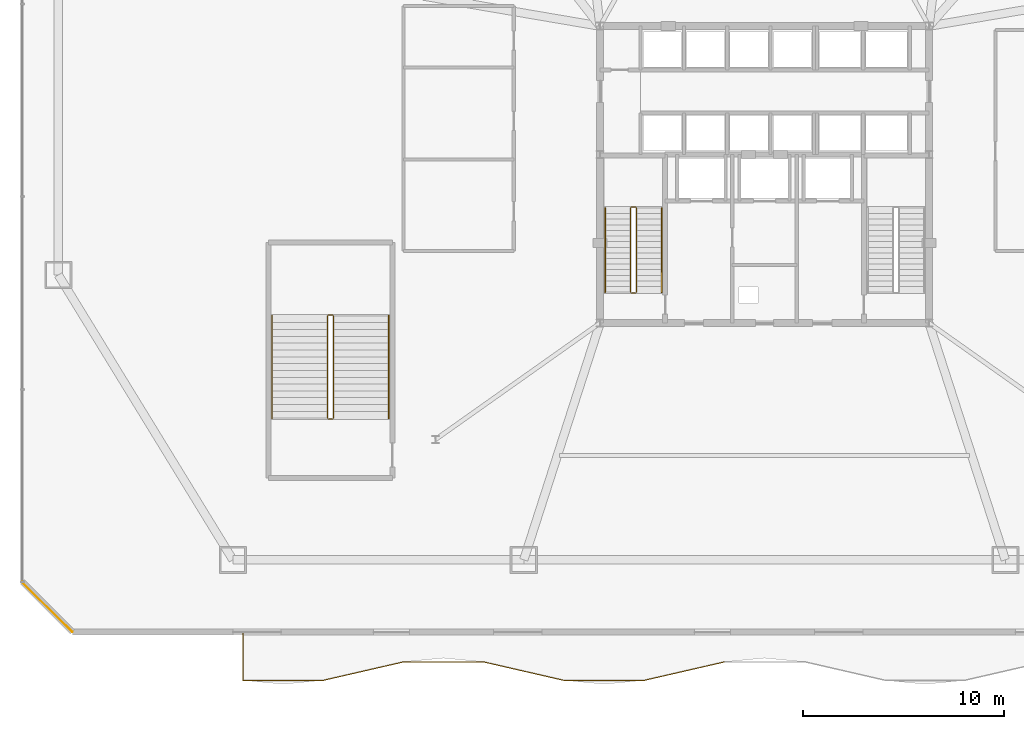
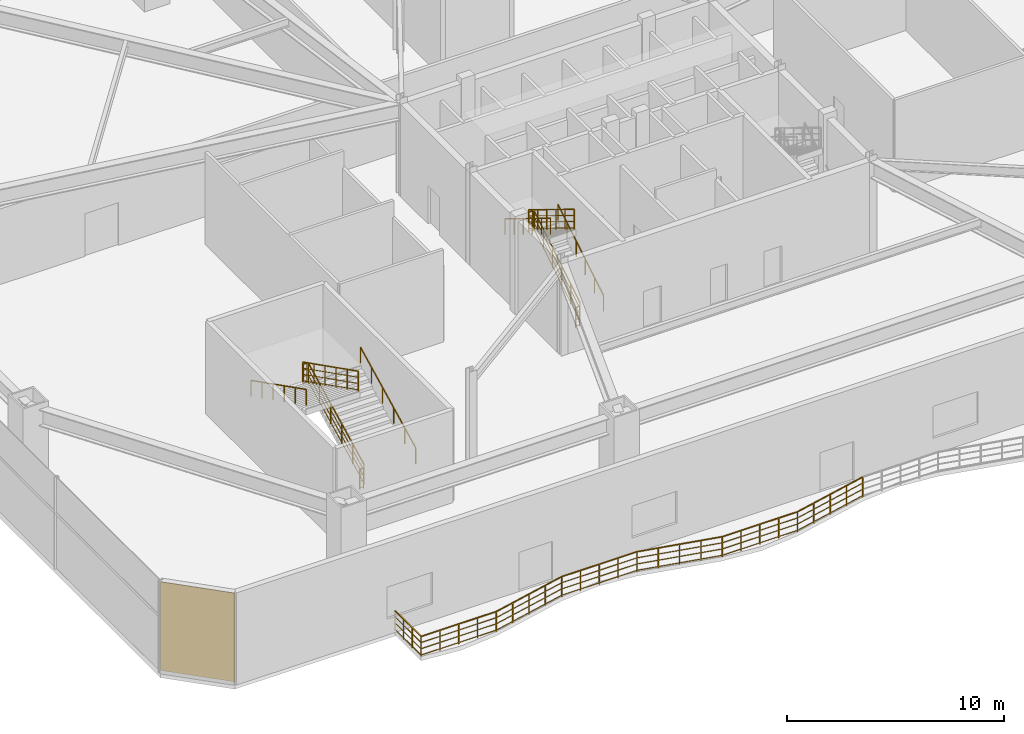
# One storey, part 16 of 20: 19 railings, 1 covering.
"""IFC4 building model written with IfcOpenShell, lengths in metres."""

from ifc_helpers import new_model, si_unit, direction, frame, frame_2d, origin, origin_2d, place, context, subcontext, project, spatial, rectangle, extrude, material, layer, layer_set, type_object, element, save


model = new_model("IFC4")

# Units and contexts
model_context = context("Model", 3, precision=1e-05, world=origin(), true_north=direction((0.0, 1.0)))
body_context = subcontext(model_context, "Body", "Model", "MODEL_VIEW")
ifc_project = project(units=[si_unit("LENGTHUNIT", "METRE"), si_unit("AREAUNIT", "SQUARE_METRE"), si_unit("VOLUMEUNIT", "CUBIC_METRE"), si_unit("PLANEANGLEUNIT", "RADIAN"), si_unit("MASSUNIT", "GRAM", prefix="KILO")], contexts=[model_context])

# Site, building, storey
site_placement = place(None, origin())
site = spatial("IfcSite", under=ifc_project, at=site_placement, CompositionType="ELEMENT")
building_placement = place(site_placement, origin())
building = spatial("IfcBuilding", under=site, at=building_placement, Name="Varakhsha Concourse Tower", CompositionType="ELEMENT")
storey_placement = place(building_placement, frame((0.0, 0.0, 16.5)))
storey = spatial("IfcBuildingStorey", under=building, at=storey_placement, Name="L04", CompositionType="ELEMENT", Elevation=16.5)

# Covering
ifc_material_1 = material(Name="Samarkand Glazed Terracotta Rainscreen Tile 32 mm", Category="masonry")
ifc_layer = layer(ifc_material_1, 0.031982421875, Name="COV-RAINSCREEN-32")
ifc_layer_set = layer_set([ifc_layer], Name="Samarkand Glazed Terracotta Rainscreen Tile 32 mm")
covering_type = type_object("IfcCoveringType", Name="COV-RAINSCREEN-32", PredefinedType="CLADDING", material=ifc_layer_set)
covering_placement = place(storey_placement, frame((3.0, 3.5, 0.10009765625), z_axis=(0.0, 0.0, 1.0), x_axis=(0.707106781187, -0.707106781187, 0.0)))
element("IfcCovering", 1, at=covering_placement, inside=storey, type_object=covering_type, Name="L04 Terracotta Rainscreen Cladding 7", PredefinedType="CLADDING", context=body_context, shape_type="SweptSolid", body=[
    extrude(rectangle(XDim=3.53564453125, YDim=0.031982421875, at=frame_2d((1.767822265625, 0.0))), origin(), (0.0, 0.0, 1.0), 4.97998046875),
])

# Railings
ifc_material_2 = material(Name="Laminated Structural Low-Iron Glass 52 mm", Category="glass")
railing_type_1 = type_object("IfcRailingType", Name="RL-BALUSTRADE-1150", PredefinedType="BALUSTRADE", material=ifc_material_2)
railing_1_placement = place(storey_placement, frame((14.0, 1.0, 0.0)))
element("IfcRailing", 2, at=railing_1_placement, inside=storey, type_object=railing_type_1, Name="L04 Perimeter Safety Balustrade RL-WAVE-L04-01", PredefinedType="BALUSTRADE", context=body_context, shape_type="SweptSolid", body=[
    extrude(rectangle(XDim=0.048095703125, YDim=0.048095703125, at=origin_2d()), frame((0.0, 0.0, 1.1259765625), z_axis=(0.0, -1.0, 0.0), x_axis=(1.0, 0.0, 0.0)), (0.0, 0.0, 1.0), 2.40966796875),
    extrude(rectangle(XDim=0.028076171875, YDim=0.028076171875, at=origin_2d()), frame((0.0, 0.0, 0.080078125), z_axis=(0.0, -1.0, 0.0), x_axis=(1.0, 0.0, 0.0)), (0.0, 0.0, 1.0), 2.40966796875),
    extrude(rectangle(XDim=0.028076171875, YDim=0.028076171875, at=origin_2d()), frame((0.0, 0.0, 0.43701171875), z_axis=(0.0, -1.0, 0.0), x_axis=(1.0, 0.0, 0.0)), (0.0, 0.0, 1.0), 2.40966796875),
    extrude(rectangle(XDim=0.028076171875, YDim=0.028076171875, at=origin_2d()), frame((0.0, 0.0, 0.781982421875), z_axis=(0.0, -1.0, 0.0), x_axis=(1.0, 0.0, 0.0)), (0.0, 0.0, 1.0), 2.40966796875),
    extrude(rectangle(XDim=0.0419921875, YDim=0.0419921875, at=origin_2d()), origin(), (0.0, 0.0, 1.0), 1.101806640625),
    extrude(rectangle(XDim=0.0419921875, YDim=0.0419921875, at=origin_2d()), frame((0.0, -0.80322265625, 0.0)), (0.0, 0.0, 1.0), 1.101806640625),
    extrude(rectangle(XDim=0.0419921875, YDim=0.0419921875, at=origin_2d()), frame((0.0, -1.6064453125, 0.0)), (0.0, 0.0, 1.0), 1.101806640625),
    extrude(rectangle(XDim=0.0419921875, YDim=0.0419921875, at=origin_2d()), frame((0.0, -2.40966796875, 0.0)), (0.0, 0.0, 1.0), 1.101806640625),
])
railing_2_placement = place(storey_placement, frame((14.0, -1.40966796875, 0.0)))
element("IfcRailing", 3, at=railing_2_placement, inside=storey, type_object=railing_type_1, Name="L04 Perimeter Safety Balustrade RL-WAVE-L04-02", PredefinedType="BALUSTRADE", context=body_context, shape_type="SweptSolid", body=[
    extrude(rectangle(XDim=0.048095703125, YDim=0.048095703125, at=origin_2d()), frame((0.0, 0.0, 1.1259765625), z_axis=(1.0, 0.0, 0.0), x_axis=(0.0, 1.0, 0.0)), (0.0, 0.0, 1.0), 4.0),
    extrude(rectangle(XDim=0.028076171875, YDim=0.028076171875, at=origin_2d()), frame((0.0, 0.0, 0.080078125), z_axis=(1.0, 0.0, 0.0), x_axis=(0.0, 1.0, 0.0)), (0.0, 0.0, 1.0), 4.0),
    extrude(rectangle(XDim=0.028076171875, YDim=0.028076171875, at=origin_2d()), frame((0.0, 0.0, 0.43701171875), z_axis=(1.0, 0.0, 0.0), x_axis=(0.0, 1.0, 0.0)), (0.0, 0.0, 1.0), 4.0),
    extrude(rectangle(XDim=0.028076171875, YDim=0.028076171875, at=origin_2d()), frame((0.0, 0.0, 0.781982421875), z_axis=(1.0, 0.0, 0.0), x_axis=(0.0, 1.0, 0.0)), (0.0, 0.0, 1.0), 4.0),
    extrude(rectangle(XDim=0.0419921875, YDim=0.0419921875, at=origin_2d()), origin(), (0.0, 0.0, 1.0), 1.101806640625),
    extrude(rectangle(XDim=0.0419921875, YDim=0.0419921875, at=origin_2d()), frame((1.0, 0.0, 0.0)), (0.0, 0.0, 1.0), 1.101806640625),
    extrude(rectangle(XDim=0.0419921875, YDim=0.0419921875, at=origin_2d()), frame((2.0, 0.0, 0.0)), (0.0, 0.0, 1.0), 1.101806640625),
    extrude(rectangle(XDim=0.0419921875, YDim=0.0419921875, at=origin_2d()), frame((3.0, 0.0, 0.0)), (0.0, 0.0, 1.0), 1.101806640625),
    extrude(rectangle(XDim=0.0419921875, YDim=0.0419921875, at=origin_2d()), frame((4.0, 0.0, 0.0)), (0.0, 0.0, 1.0), 1.101806640625),
])
railing_3_placement = place(storey_placement, frame((18.0, -1.40966796875, 0.0)))
element("IfcRailing", 4, at=railing_3_placement, inside=storey, type_object=railing_type_1, Name="L04 Perimeter Safety Balustrade RL-WAVE-L04-03", PredefinedType="BALUSTRADE", context=body_context, shape_type="SweptSolid", body=[
    extrude(rectangle(XDim=0.048095703125, YDim=0.048095703125, at=origin_2d()), frame((0.0, 0.0, 1.1259765625), z_axis=(0.974598308999, 0.223960121666, 0.0), x_axis=(-0.223960121666, 0.974598308999, 0.0)), (0.0, 0.0, 1.0), 4.104248046875),
    extrude(rectangle(XDim=0.028076171875, YDim=0.028076171875, at=origin_2d()), frame((0.0, 0.0, 0.080078125), z_axis=(0.974598308999, 0.223960121666, 0.0), x_axis=(-0.223960121666, 0.974598308999, 0.0)), (0.0, 0.0, 1.0), 4.104248046875),
    extrude(rectangle(XDim=0.028076171875, YDim=0.028076171875, at=origin_2d()), frame((0.0, 0.0, 0.43701171875), z_axis=(0.974598308999, 0.223960121666, 0.0), x_axis=(-0.223960121666, 0.974598308999, 0.0)), (0.0, 0.0, 1.0), 4.104248046875),
    extrude(rectangle(XDim=0.028076171875, YDim=0.028076171875, at=origin_2d()), frame((0.0, 0.0, 0.781982421875), z_axis=(0.974598308999, 0.223960121666, 0.0), x_axis=(-0.223960121666, 0.974598308999, 0.0)), (0.0, 0.0, 1.0), 4.104248046875),
    extrude(rectangle(XDim=0.0419921875, YDim=0.0419921875, at=origin_2d()), origin(), (0.0, 0.0, 1.0), 1.101806640625),
    extrude(rectangle(XDim=0.0419921875, YDim=0.0419921875, at=origin_2d()), frame((1.0, 0.229736328125, 0.0)), (0.0, 0.0, 1.0), 1.101806640625),
    extrude(rectangle(XDim=0.0419921875, YDim=0.0419921875, at=origin_2d()), frame((2.0, 0.45947265625, 0.0)), (0.0, 0.0, 1.0), 1.101806640625),
    extrude(rectangle(XDim=0.0419921875, YDim=0.0419921875, at=origin_2d()), frame((3.0, 0.689453125, 0.0)), (0.0, 0.0, 1.0), 1.101806640625),
    extrude(rectangle(XDim=0.0419921875, YDim=0.0419921875, at=origin_2d()), frame((4.0, 0.919189453125, 0.0)), (0.0, 0.0, 1.0), 1.101806640625),
])
railing_4_placement = place(storey_placement, frame((22.0, -0.490478515625, 0.0)))
element("IfcRailing", 5, at=railing_4_placement, inside=storey, type_object=railing_type_1, Name="L04 Perimeter Safety Balustrade RL-WAVE-L04-04", PredefinedType="BALUSTRADE", context=body_context, shape_type="SweptSolid", body=[
    extrude(rectangle(XDim=0.048095703125, YDim=0.048095703125, at=origin_2d()), frame((0.0, 0.0, 1.1259765625), z_axis=(1.0, 0.0, 0.0), x_axis=(0.0, 1.0, 0.0)), (0.0, 0.0, 1.0), 4.0),
    extrude(rectangle(XDim=0.028076171875, YDim=0.028076171875, at=origin_2d()), frame((0.0, 0.0, 0.080078125), z_axis=(1.0, 0.0, 0.0), x_axis=(0.0, 1.0, 0.0)), (0.0, 0.0, 1.0), 4.0),
    extrude(rectangle(XDim=0.028076171875, YDim=0.028076171875, at=origin_2d()), frame((0.0, 0.0, 0.43701171875), z_axis=(1.0, 0.0, 0.0), x_axis=(0.0, 1.0, 0.0)), (0.0, 0.0, 1.0), 4.0),
    extrude(rectangle(XDim=0.028076171875, YDim=0.028076171875, at=origin_2d()), frame((0.0, 0.0, 0.781982421875), z_axis=(1.0, 0.0, 0.0), x_axis=(0.0, 1.0, 0.0)), (0.0, 0.0, 1.0), 4.0),
    extrude(rectangle(XDim=0.0419921875, YDim=0.0419921875, at=origin_2d()), origin(), (0.0, 0.0, 1.0), 1.101806640625),
    extrude(rectangle(XDim=0.0419921875, YDim=0.0419921875, at=origin_2d()), frame((1.0, 0.0, 0.0)), (0.0, 0.0, 1.0), 1.101806640625),
    extrude(rectangle(XDim=0.0419921875, YDim=0.0419921875, at=origin_2d()), frame((2.0, 0.0, 0.0)), (0.0, 0.0, 1.0), 1.101806640625),
    extrude(rectangle(XDim=0.0419921875, YDim=0.0419921875, at=origin_2d()), frame((3.0, 0.0, 0.0)), (0.0, 0.0, 1.0), 1.101806640625),
    extrude(rectangle(XDim=0.0419921875, YDim=0.0419921875, at=origin_2d()), frame((4.0, 0.0, 0.0)), (0.0, 0.0, 1.0), 1.101806640625),
])
railing_5_placement = place(storey_placement, frame((26.0, -0.490478515625, 0.0)))
element("IfcRailing", 6, at=railing_5_placement, inside=storey, type_object=railing_type_1, Name="L04 Perimeter Safety Balustrade RL-WAVE-L04-05", PredefinedType="BALUSTRADE", context=body_context, shape_type="SweptSolid", body=[
    extrude(rectangle(XDim=0.048095703125, YDim=0.048095703125, at=origin_2d()), frame((0.0, 0.0, 1.1259765625), z_axis=(0.974598308999, -0.223960121666, 0.0), x_axis=(0.223960121666, 0.974598308999, 0.0)), (0.0, 0.0, 1.0), 4.104248046875),
    extrude(rectangle(XDim=0.028076171875, YDim=0.028076171875, at=origin_2d()), frame((0.0, 0.0, 0.080078125), z_axis=(0.974598308999, -0.223960121666, 0.0), x_axis=(0.223960121666, 0.974598308999, 0.0)), (0.0, 0.0, 1.0), 4.104248046875),
    extrude(rectangle(XDim=0.028076171875, YDim=0.028076171875, at=origin_2d()), frame((0.0, 0.0, 0.43701171875), z_axis=(0.974598308999, -0.223960121666, 0.0), x_axis=(0.223960121666, 0.974598308999, 0.0)), (0.0, 0.0, 1.0), 4.104248046875),
    extrude(rectangle(XDim=0.028076171875, YDim=0.028076171875, at=origin_2d()), frame((0.0, 0.0, 0.781982421875), z_axis=(0.974598308999, -0.223960121666, 0.0), x_axis=(0.223960121666, 0.974598308999, 0.0)), (0.0, 0.0, 1.0), 4.104248046875),
    extrude(rectangle(XDim=0.0419921875, YDim=0.0419921875, at=origin_2d()), origin(), (0.0, 0.0, 1.0), 1.101806640625),
    extrude(rectangle(XDim=0.0419921875, YDim=0.0419921875, at=origin_2d()), frame((1.0, -0.229736328125, 0.0)), (0.0, 0.0, 1.0), 1.101806640625),
    extrude(rectangle(XDim=0.0419921875, YDim=0.0419921875, at=origin_2d()), frame((2.0, -0.45947265625, 0.0)), (0.0, 0.0, 1.0), 1.101806640625),
    extrude(rectangle(XDim=0.0419921875, YDim=0.0419921875, at=origin_2d()), frame((3.0, -0.689453125, 0.0)), (0.0, 0.0, 1.0), 1.101806640625),
    extrude(rectangle(XDim=0.0419921875, YDim=0.0419921875, at=origin_2d()), frame((4.0, -0.919189453125, 0.0)), (0.0, 0.0, 1.0), 1.101806640625),
])
railing_6_placement = place(storey_placement, frame((30.0, -1.40966796875, 0.0)))
element("IfcRailing", 7, at=railing_6_placement, inside=storey, type_object=railing_type_1, Name="L04 Perimeter Safety Balustrade RL-WAVE-L04-06", PredefinedType="BALUSTRADE", context=body_context, shape_type="SweptSolid", body=[
    extrude(rectangle(XDim=0.048095703125, YDim=0.048095703125, at=origin_2d()), frame((0.0, 0.0, 1.1259765625), z_axis=(1.0, 0.0, 0.0), x_axis=(0.0, 1.0, 0.0)), (0.0, 0.0, 1.0), 4.0),
    extrude(rectangle(XDim=0.028076171875, YDim=0.028076171875, at=origin_2d()), frame((0.0, 0.0, 0.080078125), z_axis=(1.0, 0.0, 0.0), x_axis=(0.0, 1.0, 0.0)), (0.0, 0.0, 1.0), 4.0),
    extrude(rectangle(XDim=0.028076171875, YDim=0.028076171875, at=origin_2d()), frame((0.0, 0.0, 0.43701171875), z_axis=(1.0, 0.0, 0.0), x_axis=(0.0, 1.0, 0.0)), (0.0, 0.0, 1.0), 4.0),
    extrude(rectangle(XDim=0.028076171875, YDim=0.028076171875, at=origin_2d()), frame((0.0, 0.0, 0.781982421875), z_axis=(1.0, 0.0, 0.0), x_axis=(0.0, 1.0, 0.0)), (0.0, 0.0, 1.0), 4.0),
    extrude(rectangle(XDim=0.0419921875, YDim=0.0419921875, at=origin_2d()), origin(), (0.0, 0.0, 1.0), 1.101806640625),
    extrude(rectangle(XDim=0.0419921875, YDim=0.0419921875, at=origin_2d()), frame((1.0, 0.0, 0.0)), (0.0, 0.0, 1.0), 1.101806640625),
    extrude(rectangle(XDim=0.0419921875, YDim=0.0419921875, at=origin_2d()), frame((2.0, 0.0, 0.0)), (0.0, 0.0, 1.0), 1.101806640625),
    extrude(rectangle(XDim=0.0419921875, YDim=0.0419921875, at=origin_2d()), frame((3.0, 0.0, 0.0)), (0.0, 0.0, 1.0), 1.101806640625),
    extrude(rectangle(XDim=0.0419921875, YDim=0.0419921875, at=origin_2d()), frame((4.0, 0.0, 0.0)), (0.0, 0.0, 1.0), 1.101806640625),
])
railing_7_placement = place(storey_placement, frame((34.0, -1.40966796875, 0.0)))
element("IfcRailing", 8, at=railing_7_placement, inside=storey, type_object=railing_type_1, Name="L04 Perimeter Safety Balustrade RL-WAVE-L04-07", PredefinedType="BALUSTRADE", context=body_context, shape_type="SweptSolid", body=[
    extrude(rectangle(XDim=0.048095703125, YDim=0.048095703125, at=origin_2d()), frame((0.0, 0.0, 1.1259765625), z_axis=(0.974598308999, 0.223960121666, 0.0), x_axis=(-0.223960121666, 0.974598308999, 0.0)), (0.0, 0.0, 1.0), 4.104248046875),
    extrude(rectangle(XDim=0.028076171875, YDim=0.028076171875, at=origin_2d()), frame((0.0, 0.0, 0.080078125), z_axis=(0.974598308999, 0.223960121666, 0.0), x_axis=(-0.223960121666, 0.974598308999, 0.0)), (0.0, 0.0, 1.0), 4.104248046875),
    extrude(rectangle(XDim=0.028076171875, YDim=0.028076171875, at=origin_2d()), frame((0.0, 0.0, 0.43701171875), z_axis=(0.974598308999, 0.223960121666, 0.0), x_axis=(-0.223960121666, 0.974598308999, 0.0)), (0.0, 0.0, 1.0), 4.104248046875),
    extrude(rectangle(XDim=0.028076171875, YDim=0.028076171875, at=origin_2d()), frame((0.0, 0.0, 0.781982421875), z_axis=(0.974598308999, 0.223960121666, 0.0), x_axis=(-0.223960121666, 0.974598308999, 0.0)), (0.0, 0.0, 1.0), 4.104248046875),
    extrude(rectangle(XDim=0.0419921875, YDim=0.0419921875, at=origin_2d()), origin(), (0.0, 0.0, 1.0), 1.101806640625),
    extrude(rectangle(XDim=0.0419921875, YDim=0.0419921875, at=origin_2d()), frame((1.0, 0.229736328125, 0.0)), (0.0, 0.0, 1.0), 1.101806640625),
    extrude(rectangle(XDim=0.0419921875, YDim=0.0419921875, at=origin_2d()), frame((2.0, 0.45947265625, 0.0)), (0.0, 0.0, 1.0), 1.101806640625),
    extrude(rectangle(XDim=0.0419921875, YDim=0.0419921875, at=origin_2d()), frame((3.0, 0.689453125, 0.0)), (0.0, 0.0, 1.0), 1.101806640625),
    extrude(rectangle(XDim=0.0419921875, YDim=0.0419921875, at=origin_2d()), frame((4.0, 0.919189453125, 0.0)), (0.0, 0.0, 1.0), 1.101806640625),
])
ifc_material_3 = material(Name="Brushed Austenitic Stainless Steel AISI 316", Category="steel")
railing_type_2 = type_object("IfcRailingType", Name="RL-STAIR-GUARD-1100", PredefinedType="GUARDRAIL", material=ifc_material_3)
railing_8_placement = place(storey_placement, frame((33.610107421875, 17.93994140625, 0.171875)))
element("IfcRailing", 9, at=railing_8_placement, inside=storey, type_object=railing_type_2, Name="L04 ST1 stair guard 1", PredefinedType="GUARDRAIL", context=body_context, shape_type="SweptSolid", body=[
    extrude(rectangle(XDim=0.048095703125, YDim=0.048095703125, at=origin_2d()), frame((0.0, 0.0, 1.1259765625), z_axis=(0.0, 0.852242915053, 0.523146264196), x_axis=(-1.0, 0.0, 0.0)), (0.0, 0.0, 1.0), 4.92822265625),
    extrude(rectangle(XDim=0.028076171875, YDim=0.028076171875, at=origin_2d()), frame((0.0, 0.0, 0.080078125), z_axis=(0.0, 0.852242915053, 0.523146264196), x_axis=(-1.0, 0.0, 0.0)), (0.0, 0.0, 1.0), 4.92822265625),
    extrude(rectangle(XDim=0.028076171875, YDim=0.028076171875, at=origin_2d()), frame((0.0, 0.0, 0.43701171875), z_axis=(0.0, 0.852242915053, 0.523146264196), x_axis=(-1.0, 0.0, 0.0)), (0.0, 0.0, 1.0), 4.92822265625),
    extrude(rectangle(XDim=0.028076171875, YDim=0.028076171875, at=origin_2d()), frame((0.0, 0.0, 0.781982421875), z_axis=(0.0, 0.852242915053, 0.523146264196), x_axis=(-1.0, 0.0, 0.0)), (0.0, 0.0, 1.0), 4.92822265625),
    extrude(rectangle(XDim=0.0419921875, YDim=0.0419921875, at=origin_2d()), origin(), (0.0, 0.0, 1.0), 1.101806640625),
    extrude(rectangle(XDim=0.0419921875, YDim=0.0419921875, at=origin_2d()), frame((0.0, 0.840087890625, 0.515625)), (0.0, 0.0, 1.0), 1.101806640625),
    extrude(rectangle(XDim=0.0419921875, YDim=0.0419921875, at=origin_2d()), frame((0.0, 1.679931640625, 1.03125)), (0.0, 0.0, 1.0), 1.101806640625),
    extrude(rectangle(XDim=0.0419921875, YDim=0.0419921875, at=origin_2d()), frame((0.0, 2.52001953125, 1.546875)), (0.0, 0.0, 1.0), 1.101806640625),
    extrude(rectangle(XDim=0.0419921875, YDim=0.0419921875, at=origin_2d()), frame((0.0, 3.35986328125, 2.0625)), (0.0, 0.0, 1.0), 1.101806640625),
    extrude(rectangle(XDim=0.0419921875, YDim=0.0419921875, at=origin_2d()), frame((0.0, 4.199951171875, 2.578125)), (0.0, 0.0, 1.0), 1.101806640625),
])
railing_9_placement = place(storey_placement, frame((33.56005859375, 22.18994140625, 2.75)))
element("IfcRailing", 10, at=railing_9_placement, inside=storey, type_object=railing_type_2, Name="L04 ST1 stair guard 2", PredefinedType="GUARDRAIL", context=body_context, shape_type="SweptSolid", body=[
    extrude(rectangle(XDim=0.048095703125, YDim=0.048095703125, at=origin_2d()), frame((0.0, 0.0, 1.1259765625), z_axis=(-1.0, 0.0, 0.0), x_axis=(0.0, -1.0, 0.0)), (0.0, 0.0, 1.0), 0.199951171875),
    extrude(rectangle(XDim=0.028076171875, YDim=0.028076171875, at=origin_2d()), frame((0.0, 0.0, 0.080078125), z_axis=(-1.0, 0.0, 0.0), x_axis=(0.0, -1.0, 0.0)), (0.0, 0.0, 1.0), 0.199951171875),
    extrude(rectangle(XDim=0.028076171875, YDim=0.028076171875, at=origin_2d()), frame((0.0, 0.0, 0.43701171875), z_axis=(-1.0, 0.0, 0.0), x_axis=(0.0, -1.0, 0.0)), (0.0, 0.0, 1.0), 0.199951171875),
    extrude(rectangle(XDim=0.028076171875, YDim=0.028076171875, at=origin_2d()), frame((0.0, 0.0, 0.781982421875), z_axis=(-1.0, 0.0, 0.0), x_axis=(0.0, -1.0, 0.0)), (0.0, 0.0, 1.0), 0.199951171875),
    extrude(rectangle(XDim=0.0419921875, YDim=0.0419921875, at=origin_2d()), origin(), (0.0, 0.0, 1.0), 1.101806640625),
    extrude(rectangle(XDim=0.0419921875, YDim=0.0419921875, at=origin_2d()), frame((-0.199951171875, 0.0, 0.0)), (0.0, 0.0, 1.0), 1.101806640625),
])
railing_10_placement = place(storey_placement, frame((33.31005859375, 22.139892578125, 2.921875)))
element("IfcRailing", 11, at=railing_10_placement, inside=storey, type_object=railing_type_2, Name="L04 ST1 stair guard 3", PredefinedType="GUARDRAIL", context=body_context, shape_type="SweptSolid", body=[
    extrude(rectangle(XDim=0.048095703125, YDim=0.048095703125, at=origin_2d()), frame((0.0, 0.0, 1.1259765625), z_axis=(0.0, -0.852242915053, 0.523146264196), x_axis=(1.0, 0.0, 0.0)), (0.0, 0.0, 1.0), 4.92822265625),
    extrude(rectangle(XDim=0.028076171875, YDim=0.028076171875, at=origin_2d()), frame((0.0, 0.0, 0.080078125), z_axis=(0.0, -0.852242915053, 0.523146264196), x_axis=(1.0, 0.0, 0.0)), (0.0, 0.0, 1.0), 4.92822265625),
    extrude(rectangle(XDim=0.028076171875, YDim=0.028076171875, at=origin_2d()), frame((0.0, 0.0, 0.43701171875), z_axis=(0.0, -0.852242915053, 0.523146264196), x_axis=(1.0, 0.0, 0.0)), (0.0, 0.0, 1.0), 4.92822265625),
    extrude(rectangle(XDim=0.028076171875, YDim=0.028076171875, at=origin_2d()), frame((0.0, 0.0, 0.781982421875), z_axis=(0.0, -0.852242915053, 0.523146264196), x_axis=(1.0, 0.0, 0.0)), (0.0, 0.0, 1.0), 4.92822265625),
    extrude(rectangle(XDim=0.0419921875, YDim=0.0419921875, at=origin_2d()), origin(), (0.0, 0.0, 1.0), 1.101806640625),
    extrude(rectangle(XDim=0.0419921875, YDim=0.0419921875, at=origin_2d()), frame((0.0, -0.840087890625, 0.515625)), (0.0, 0.0, 1.0), 1.101806640625),
    extrude(rectangle(XDim=0.0419921875, YDim=0.0419921875, at=origin_2d()), frame((0.0, -1.679931640625, 1.03125)), (0.0, 0.0, 1.0), 1.101806640625),
    extrude(rectangle(XDim=0.0419921875, YDim=0.0419921875, at=origin_2d()), frame((0.0, -2.52001953125, 1.546875)), (0.0, 0.0, 1.0), 1.101806640625),
    extrude(rectangle(XDim=0.0419921875, YDim=0.0419921875, at=origin_2d()), frame((0.0, -3.35986328125, 2.0625)), (0.0, 0.0, 1.0), 1.101806640625),
    extrude(rectangle(XDim=0.0419921875, YDim=0.0419921875, at=origin_2d()), frame((0.0, -4.199951171875, 2.578125)), (0.0, 0.0, 1.0), 1.101806640625),
])
railing_11_placement = place(storey_placement, frame((33.56005859375, 17.889892578125, 0.0)))
element("IfcRailing", 12, at=railing_11_placement, inside=storey, type_object=railing_type_2, Name="L04 ST1 stair guard 4", PredefinedType="GUARDRAIL", context=body_context, shape_type="SweptSolid", body=[
    extrude(rectangle(XDim=0.048095703125, YDim=0.048095703125, at=origin_2d()), frame((0.0, 0.0, 1.1259765625), z_axis=(-1.0, 0.0, 0.0), x_axis=(0.0, -1.0, 0.0)), (0.0, 0.0, 1.0), 0.199951171875),
    extrude(rectangle(XDim=0.028076171875, YDim=0.028076171875, at=origin_2d()), frame((0.0, 0.0, 0.080078125), z_axis=(-1.0, 0.0, 0.0), x_axis=(0.0, -1.0, 0.0)), (0.0, 0.0, 1.0), 0.199951171875),
    extrude(rectangle(XDim=0.028076171875, YDim=0.028076171875, at=origin_2d()), frame((0.0, 0.0, 0.43701171875), z_axis=(-1.0, 0.0, 0.0), x_axis=(0.0, -1.0, 0.0)), (0.0, 0.0, 1.0), 0.199951171875),
    extrude(rectangle(XDim=0.028076171875, YDim=0.028076171875, at=origin_2d()), frame((0.0, 0.0, 0.781982421875), z_axis=(-1.0, 0.0, 0.0), x_axis=(0.0, -1.0, 0.0)), (0.0, 0.0, 1.0), 0.199951171875),
    extrude(rectangle(XDim=0.0419921875, YDim=0.0419921875, at=origin_2d()), origin(), (0.0, 0.0, 1.0), 1.101806640625),
    extrude(rectangle(XDim=0.0419921875, YDim=0.0419921875, at=origin_2d()), frame((-0.199951171875, 0.0, 0.0)), (0.0, 0.0, 1.0), 1.101806640625),
])
railing_12_placement = place(storey_placement, frame((18.510009765625, 11.659912109375, 0.171875)))
element("IfcRailing", 13, at=railing_12_placement, inside=storey, type_object=railing_type_2, Name="L04 ST3 stair guard 1", PredefinedType="GUARDRAIL", context=body_context, shape_type="SweptSolid", body=[
    extrude(rectangle(XDim=0.048095703125, YDim=0.048095703125, at=origin_2d()), frame((0.0, 0.0, 1.1259765625), z_axis=(0.0, 0.892453363607, 0.451139661067), x_axis=(-1.0, 0.0, 0.0)), (0.0, 0.0, 1.0), 5.714599609375),
    extrude(rectangle(XDim=0.028076171875, YDim=0.028076171875, at=origin_2d()), frame((0.0, 0.0, 0.080078125), z_axis=(0.0, 0.892453363607, 0.451139661067), x_axis=(-1.0, 0.0, 0.0)), (0.0, 0.0, 1.0), 5.714599609375),
    extrude(rectangle(XDim=0.028076171875, YDim=0.028076171875, at=origin_2d()), frame((0.0, 0.0, 0.43701171875), z_axis=(0.0, 0.892453363607, 0.451139661067), x_axis=(-1.0, 0.0, 0.0)), (0.0, 0.0, 1.0), 5.714599609375),
    extrude(rectangle(XDim=0.028076171875, YDim=0.028076171875, at=origin_2d()), frame((0.0, 0.0, 0.781982421875), z_axis=(0.0, 0.892453363607, 0.451139661067), x_axis=(-1.0, 0.0, 0.0)), (0.0, 0.0, 1.0), 5.714599609375),
    extrude(rectangle(XDim=0.0419921875, YDim=0.0419921875, at=origin_2d()), origin(), (0.0, 0.0, 1.0), 1.101806640625),
    extrude(rectangle(XDim=0.0419921875, YDim=0.0419921875, at=origin_2d()), frame((0.0, 1.02001953125, 0.515625)), (0.0, 0.0, 1.0), 1.101806640625),
    extrude(rectangle(XDim=0.0419921875, YDim=0.0419921875, at=origin_2d()), frame((0.0, 2.0400390625, 1.03125)), (0.0, 0.0, 1.0), 1.101806640625),
    extrude(rectangle(XDim=0.0419921875, YDim=0.0419921875, at=origin_2d()), frame((0.0, 3.06005859375, 1.546875)), (0.0, 0.0, 1.0), 1.101806640625),
    extrude(rectangle(XDim=0.0419921875, YDim=0.0419921875, at=origin_2d()), frame((0.0, 4.080078125, 2.0625)), (0.0, 0.0, 1.0), 1.101806640625),
    extrude(rectangle(XDim=0.0419921875, YDim=0.0419921875, at=origin_2d()), frame((0.0, 5.10009765625, 2.578125)), (0.0, 0.0, 1.0), 1.101806640625),
])
railing_13_placement = place(storey_placement, frame((18.4599609375, 16.81005859375, 2.75)))
element("IfcRailing", 14, at=railing_13_placement, inside=storey, type_object=railing_type_2, Name="L04 ST3 stair guard 2", PredefinedType="GUARDRAIL", context=body_context, shape_type="SweptSolid", body=[
    extrude(rectangle(XDim=0.048095703125, YDim=0.048095703125, at=origin_2d()), frame((0.0, 0.0, 1.1259765625), z_axis=(-1.0, 0.0, 0.0), x_axis=(0.0, -1.0, 0.0)), (0.0, 0.0, 1.0), 0.199951171875),
    extrude(rectangle(XDim=0.028076171875, YDim=0.028076171875, at=origin_2d()), frame((0.0, 0.0, 0.080078125), z_axis=(-1.0, 0.0, 0.0), x_axis=(0.0, -1.0, 0.0)), (0.0, 0.0, 1.0), 0.199951171875),
    extrude(rectangle(XDim=0.028076171875, YDim=0.028076171875, at=origin_2d()), frame((0.0, 0.0, 0.43701171875), z_axis=(-1.0, 0.0, 0.0), x_axis=(0.0, -1.0, 0.0)), (0.0, 0.0, 1.0), 0.199951171875),
    extrude(rectangle(XDim=0.028076171875, YDim=0.028076171875, at=origin_2d()), frame((0.0, 0.0, 0.781982421875), z_axis=(-1.0, 0.0, 0.0), x_axis=(0.0, -1.0, 0.0)), (0.0, 0.0, 1.0), 0.199951171875),
    extrude(rectangle(XDim=0.0419921875, YDim=0.0419921875, at=origin_2d()), origin(), (0.0, 0.0, 1.0), 1.101806640625),
    extrude(rectangle(XDim=0.0419921875, YDim=0.0419921875, at=origin_2d()), frame((-0.199951171875, 0.0, 0.0)), (0.0, 0.0, 1.0), 1.101806640625),
])
railing_14_placement = place(storey_placement, frame((18.2099609375, 16.760009765625, 2.921875)))
element("IfcRailing", 15, at=railing_14_placement, inside=storey, type_object=railing_type_2, Name="L04 ST3 stair guard 3", PredefinedType="GUARDRAIL", context=body_context, shape_type="SweptSolid", body=[
    extrude(rectangle(XDim=0.048095703125, YDim=0.048095703125, at=origin_2d()), frame((0.0, 0.0, 1.1259765625), z_axis=(0.0, -0.892453363607, 0.451139661067), x_axis=(1.0, 0.0, 0.0)), (0.0, 0.0, 1.0), 5.714599609375),
    extrude(rectangle(XDim=0.028076171875, YDim=0.028076171875, at=origin_2d()), frame((0.0, 0.0, 0.080078125), z_axis=(0.0, -0.892453363607, 0.451139661067), x_axis=(1.0, 0.0, 0.0)), (0.0, 0.0, 1.0), 5.714599609375),
    extrude(rectangle(XDim=0.028076171875, YDim=0.028076171875, at=origin_2d()), frame((0.0, 0.0, 0.43701171875), z_axis=(0.0, -0.892453363607, 0.451139661067), x_axis=(1.0, 0.0, 0.0)), (0.0, 0.0, 1.0), 5.714599609375),
    extrude(rectangle(XDim=0.028076171875, YDim=0.028076171875, at=origin_2d()), frame((0.0, 0.0, 0.781982421875), z_axis=(0.0, -0.892453363607, 0.451139661067), x_axis=(1.0, 0.0, 0.0)), (0.0, 0.0, 1.0), 5.714599609375),
    extrude(rectangle(XDim=0.0419921875, YDim=0.0419921875, at=origin_2d()), origin(), (0.0, 0.0, 1.0), 1.101806640625),
    extrude(rectangle(XDim=0.0419921875, YDim=0.0419921875, at=origin_2d()), frame((0.0, -1.02001953125, 0.515625)), (0.0, 0.0, 1.0), 1.101806640625),
    extrude(rectangle(XDim=0.0419921875, YDim=0.0419921875, at=origin_2d()), frame((0.0, -2.0400390625, 1.03125)), (0.0, 0.0, 1.0), 1.101806640625),
    extrude(rectangle(XDim=0.0419921875, YDim=0.0419921875, at=origin_2d()), frame((0.0, -3.06005859375, 1.546875)), (0.0, 0.0, 1.0), 1.101806640625),
    extrude(rectangle(XDim=0.0419921875, YDim=0.0419921875, at=origin_2d()), frame((0.0, -4.080078125, 2.0625)), (0.0, 0.0, 1.0), 1.101806640625),
    extrude(rectangle(XDim=0.0419921875, YDim=0.0419921875, at=origin_2d()), frame((0.0, -5.10009765625, 2.578125)), (0.0, 0.0, 1.0), 1.101806640625),
])
railing_15_placement = place(storey_placement, frame((18.4599609375, 11.610107421875, 0.0)))
element("IfcRailing", 16, at=railing_15_placement, inside=storey, type_object=railing_type_2, Name="L04 ST3 stair guard 4", PredefinedType="GUARDRAIL", context=body_context, shape_type="SweptSolid", body=[
    extrude(rectangle(XDim=0.048095703125, YDim=0.048095703125, at=origin_2d()), frame((0.0, 0.0, 1.1259765625), z_axis=(-1.0, 0.0, 0.0), x_axis=(0.0, -1.0, 0.0)), (0.0, 0.0, 1.0), 0.199951171875),
    extrude(rectangle(XDim=0.028076171875, YDim=0.028076171875, at=origin_2d()), frame((0.0, 0.0, 0.080078125), z_axis=(-1.0, 0.0, 0.0), x_axis=(0.0, -1.0, 0.0)), (0.0, 0.0, 1.0), 0.199951171875),
    extrude(rectangle(XDim=0.028076171875, YDim=0.028076171875, at=origin_2d()), frame((0.0, 0.0, 0.43701171875), z_axis=(-1.0, 0.0, 0.0), x_axis=(0.0, -1.0, 0.0)), (0.0, 0.0, 1.0), 0.199951171875),
    extrude(rectangle(XDim=0.028076171875, YDim=0.028076171875, at=origin_2d()), frame((0.0, 0.0, 0.781982421875), z_axis=(-1.0, 0.0, 0.0), x_axis=(0.0, -1.0, 0.0)), (0.0, 0.0, 1.0), 0.199951171875),
    extrude(rectangle(XDim=0.0419921875, YDim=0.0419921875, at=origin_2d()), origin(), (0.0, 0.0, 1.0), 1.101806640625),
    extrude(rectangle(XDim=0.0419921875, YDim=0.0419921875, at=origin_2d()), frame((-0.199951171875, 0.0, 0.0)), (0.0, 0.0, 1.0), 1.101806640625),
])
railing_type_3 = type_object("IfcRailingType", Name="RL-STAIR-RAIL-915", PredefinedType="HANDRAIL", material=ifc_material_3)
railing_16_placement = place(storey_placement, frame((34.8701171875, 17.93994140625, 0.34375)))
element("IfcRailing", 17, at=railing_16_placement, inside=storey, type_object=railing_type_3, Name="L04 ST1 stair handrail 1", PredefinedType="HANDRAIL", context=body_context, shape_type="SweptSolid", body=[
    extrude(rectangle(XDim=0.048095703125, YDim=0.048095703125, at=origin_2d()), frame((0.0, 0.0, 0.89111328125), z_axis=(0.0, 0.852242915053, 0.523146264196), x_axis=(-1.0, 0.0, 0.0)), (0.0, 0.0, 1.0), 4.92822265625),
    extrude(rectangle(XDim=0.0419921875, YDim=0.0419921875, at=origin_2d()), origin(), (0.0, 0.0, 1.0), 0.866943359375),
    extrude(rectangle(XDim=0.0419921875, YDim=0.0419921875, at=origin_2d()), frame((0.0, 0.840087890625, 0.515625)), (0.0, 0.0, 1.0), 0.866943359375),
    extrude(rectangle(XDim=0.0419921875, YDim=0.0419921875, at=origin_2d()), frame((0.0, 1.679931640625, 1.03125)), (0.0, 0.0, 1.0), 0.866943359375),
    extrude(rectangle(XDim=0.0419921875, YDim=0.0419921875, at=origin_2d()), frame((0.0, 2.52001953125, 1.546875)), (0.0, 0.0, 1.0), 0.866943359375),
    extrude(rectangle(XDim=0.0419921875, YDim=0.0419921875, at=origin_2d()), frame((0.0, 3.35986328125, 2.0625)), (0.0, 0.0, 1.0), 0.866943359375),
    extrude(rectangle(XDim=0.0419921875, YDim=0.0419921875, at=origin_2d()), frame((0.0, 4.199951171875, 2.578125)), (0.0, 0.0, 1.0), 0.866943359375),
])
railing_17_placement = place(storey_placement, frame((32.050048828125, 22.139892578125, 3.09375)))
element("IfcRailing", 18, at=railing_17_placement, inside=storey, type_object=railing_type_3, Name="L04 ST1 stair handrail 2", PredefinedType="HANDRAIL", context=body_context, shape_type="SweptSolid", body=[
    extrude(rectangle(XDim=0.048095703125, YDim=0.048095703125, at=origin_2d()), frame((0.0, 0.0, 0.89111328125), z_axis=(0.0, -0.852242915053, 0.523146264196), x_axis=(1.0, 0.0, 0.0)), (0.0, 0.0, 1.0), 4.92822265625),
    extrude(rectangle(XDim=0.0419921875, YDim=0.0419921875, at=origin_2d()), origin(), (0.0, 0.0, 1.0), 0.866943359375),
    extrude(rectangle(XDim=0.0419921875, YDim=0.0419921875, at=origin_2d()), frame((0.0, -0.840087890625, 0.515625)), (0.0, 0.0, 1.0), 0.866943359375),
    extrude(rectangle(XDim=0.0419921875, YDim=0.0419921875, at=origin_2d()), frame((0.0, -1.679931640625, 1.03125)), (0.0, 0.0, 1.0), 0.866943359375),
    extrude(rectangle(XDim=0.0419921875, YDim=0.0419921875, at=origin_2d()), frame((0.0, -2.52001953125, 1.546875)), (0.0, 0.0, 1.0), 0.866943359375),
    extrude(rectangle(XDim=0.0419921875, YDim=0.0419921875, at=origin_2d()), frame((0.0, -3.35986328125, 2.0625)), (0.0, 0.0, 1.0), 0.866943359375),
    extrude(rectangle(XDim=0.0419921875, YDim=0.0419921875, at=origin_2d()), frame((0.0, -4.199951171875, 2.578125)), (0.0, 0.0, 1.0), 0.866943359375),
])
railing_18_placement = place(storey_placement, frame((21.27001953125, 11.659912109375, 0.34375)))
element("IfcRailing", 19, at=railing_18_placement, inside=storey, type_object=railing_type_3, Name="L04 ST3 stair handrail 1", PredefinedType="HANDRAIL", context=body_context, shape_type="SweptSolid", body=[
    extrude(rectangle(XDim=0.048095703125, YDim=0.048095703125, at=origin_2d()), frame((0.0, 0.0, 0.89111328125), z_axis=(0.0, 0.892453363607, 0.451139661067), x_axis=(-1.0, 0.0, 0.0)), (0.0, 0.0, 1.0), 5.714599609375),
    extrude(rectangle(XDim=0.0419921875, YDim=0.0419921875, at=origin_2d()), origin(), (0.0, 0.0, 1.0), 0.866943359375),
    extrude(rectangle(XDim=0.0419921875, YDim=0.0419921875, at=origin_2d()), frame((0.0, 1.02001953125, 0.515625)), (0.0, 0.0, 1.0), 0.866943359375),
    extrude(rectangle(XDim=0.0419921875, YDim=0.0419921875, at=origin_2d()), frame((0.0, 2.0400390625, 1.03125)), (0.0, 0.0, 1.0), 0.866943359375),
    extrude(rectangle(XDim=0.0419921875, YDim=0.0419921875, at=origin_2d()), frame((0.0, 3.06005859375, 1.546875)), (0.0, 0.0, 1.0), 0.866943359375),
    extrude(rectangle(XDim=0.0419921875, YDim=0.0419921875, at=origin_2d()), frame((0.0, 4.080078125, 2.0625)), (0.0, 0.0, 1.0), 0.866943359375),
    extrude(rectangle(XDim=0.0419921875, YDim=0.0419921875, at=origin_2d()), frame((0.0, 5.10009765625, 2.578125)), (0.0, 0.0, 1.0), 0.866943359375),
])
railing_19_placement = place(storey_placement, frame((15.449951171875, 16.760009765625, 3.09375)))
element("IfcRailing", 20, at=railing_19_placement, inside=storey, type_object=railing_type_3, Name="L04 ST3 stair handrail 2", PredefinedType="HANDRAIL", context=body_context, shape_type="SweptSolid", body=[
    extrude(rectangle(XDim=0.048095703125, YDim=0.048095703125, at=origin_2d()), frame((0.0, 0.0, 0.89111328125), z_axis=(0.0, -0.892453363607, 0.451139661067), x_axis=(1.0, 0.0, 0.0)), (0.0, 0.0, 1.0), 5.714599609375),
    extrude(rectangle(XDim=0.0419921875, YDim=0.0419921875, at=origin_2d()), origin(), (0.0, 0.0, 1.0), 0.866943359375),
    extrude(rectangle(XDim=0.0419921875, YDim=0.0419921875, at=origin_2d()), frame((0.0, -1.02001953125, 0.515625)), (0.0, 0.0, 1.0), 0.866943359375),
    extrude(rectangle(XDim=0.0419921875, YDim=0.0419921875, at=origin_2d()), frame((0.0, -2.0400390625, 1.03125)), (0.0, 0.0, 1.0), 0.866943359375),
    extrude(rectangle(XDim=0.0419921875, YDim=0.0419921875, at=origin_2d()), frame((0.0, -3.06005859375, 1.546875)), (0.0, 0.0, 1.0), 0.866943359375),
    extrude(rectangle(XDim=0.0419921875, YDim=0.0419921875, at=origin_2d()), frame((0.0, -4.080078125, 2.0625)), (0.0, 0.0, 1.0), 0.866943359375),
    extrude(rectangle(XDim=0.0419921875, YDim=0.0419921875, at=origin_2d()), frame((0.0, -5.10009765625, 2.578125)), (0.0, 0.0, 1.0), 0.866943359375),
])

save(model, "model.ifc")
